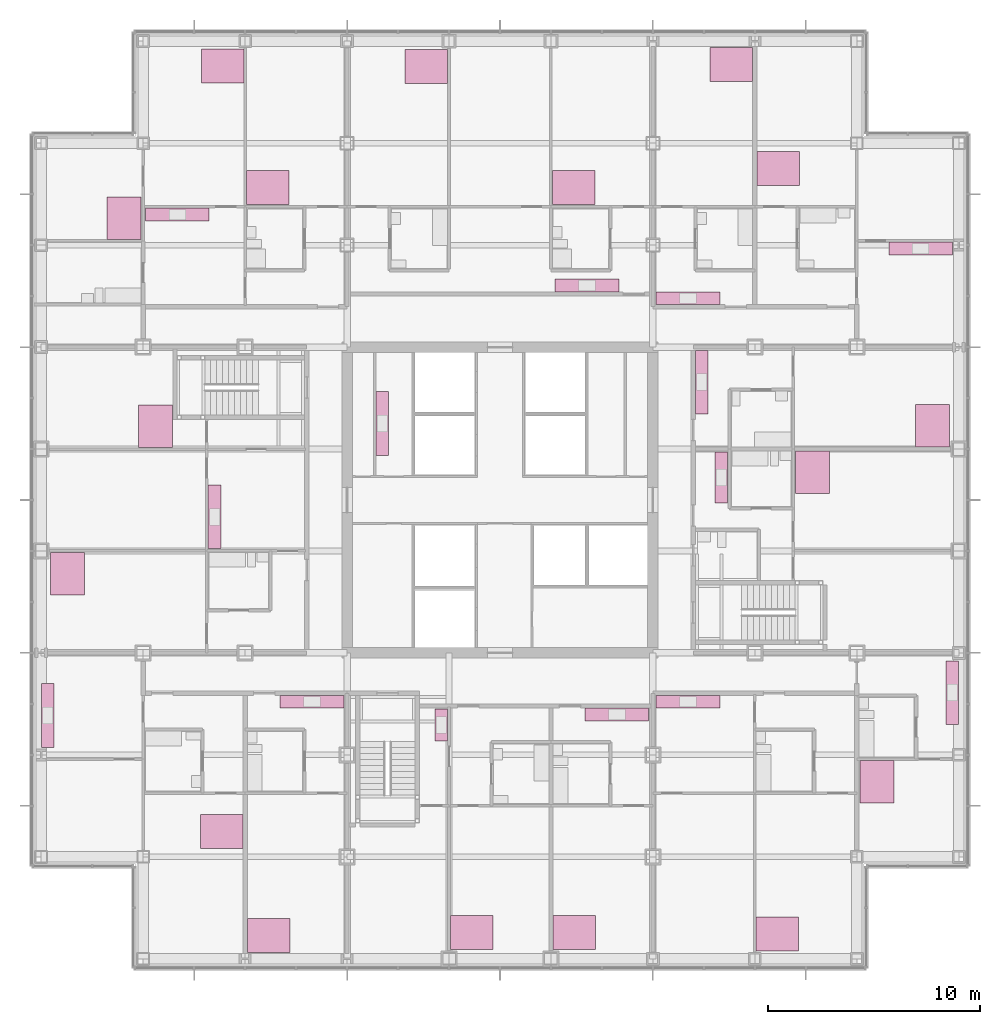
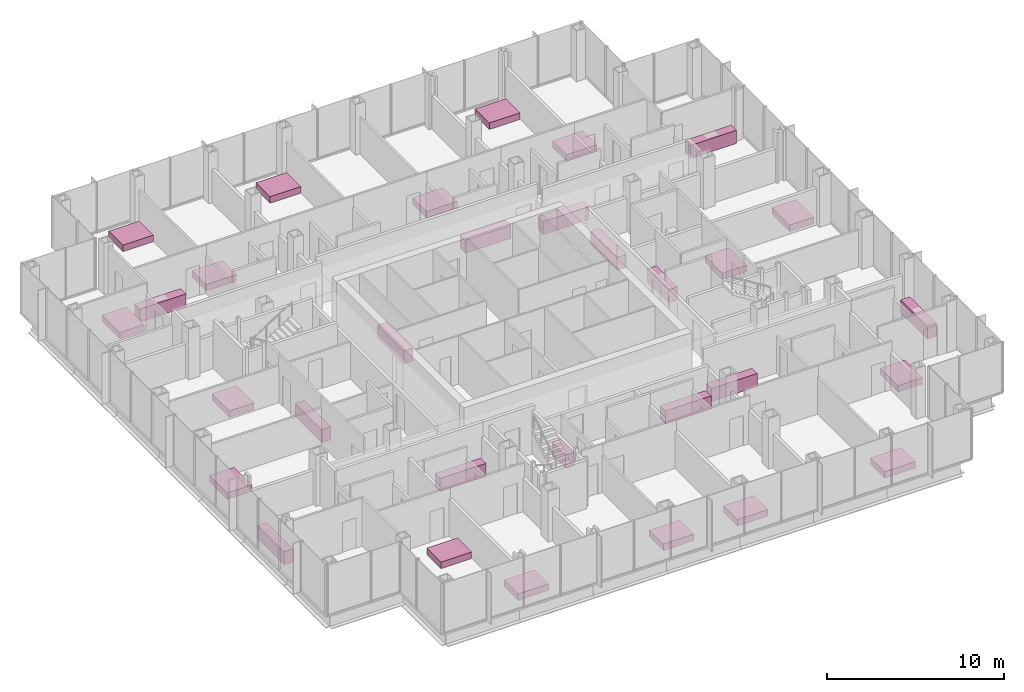
# One storey, part 21 of 21: 31 furniture elements.
"""IFC4 building model written with IfcOpenShell, lengths in metres."""

from ifc_helpers import new_model, si_unit, direction, frame, origin, origin_2d, place, context, subcontext, project, spatial, rectangle, extrude, material, type_object, element, save


model = new_model("IFC4")

# Units and contexts
model_context = context("Model", 3, precision=1e-05, world=origin(), true_north=direction((0.0, 1.0)))
body_context = subcontext(model_context, "Body", "Model", "MODEL_VIEW")
ifc_project = project(units=[si_unit("LENGTHUNIT", "METRE"), si_unit("AREAUNIT", "SQUARE_METRE"), si_unit("VOLUMEUNIT", "CUBIC_METRE"), si_unit("PLANEANGLEUNIT", "RADIAN"), si_unit("MASSUNIT", "GRAM", prefix="KILO")], contexts=[model_context])

# Site, building, storey
site_placement = place(None, origin())
site = spatial("IfcSite", under=ifc_project, at=site_placement, CompositionType="ELEMENT")
building_placement = place(site_placement, origin())
building = spatial("IfcBuilding", under=site, at=building_placement, Name="Kvirike Care Tower", CompositionType="ELEMENT")
storey_placement = place(building_placement, frame((0.0, 0.0, 37.5)))
storey = spatial("IfcBuildingStorey", under=building, at=storey_placement, Name="L09", CompositionType="ELEMENT", Elevation=37.5)

# Furniture
ifc_material_1 = material(Name="Timber", Category="wood")
furniture_type_1 = type_object("IfcFurnitureType", Name="DOUBLE BED 1600 x 2000", AssemblyPlace="FACTORY", PredefinedType="BED", material=ifc_material_1)
for number, where, z_axis, x_axis, name in (
    (1, (8.498046875, 20.389892578125, 0.0), (0.0, 0.0, 1.0), (0.0, -1.0, 0.0), "Double bed L09-003"),
    (2, (10.701904296875, 15.4970703125, 0.0), (0.0, 0.0, 1.0), (0.0, 1.0, 0.0), "Double bed L09-007"),
    (3, (5.389892578125, 39.4619140625, 0.0), (0.0, 0.0, 1.0), (-1.0, 0.0, 0.0), "Double bed L09-012"),
    (4, (1.2451171875, 32.5380859375, 0.0), (0.0, 0.0, 1.0), (1.0, 0.0, 0.0), "Double bed L09-014"),
    (5, (10.662109375, 50.7099609375, 0.0), (0.0, 0.0, 1.0), (0.0, 1.0, 0.0), "Double bed L09-020"),
    (6, (8.5380859375, 56.429931640625, 0.0), (0.0, 0.0, 1.0), (0.0, -1.0, 0.0), "Double bed L09-021"),
    (7, (3.889892578125, 49.261962890625, 0.0), (0.0, 0.0, 1.0), (-1.0, 0.0, 0.0), "Double bed L09-022"),
    (8, (20.261962890625, 15.64501953125, 0.0), (0.0, 0.0, 1.0), (0.0, 1.0, 0.0), "Double bed L09-030"),
    (9, (25.10205078125, 15.64501953125, 0.0), (0.0, 0.0, 1.0), (0.0, 1.0, 0.0), "Double bed L09-034"),
    (10, (25.06201171875, 50.7099609375, 0.0), (0.0, 0.0, 1.0), (0.0, 1.0, 0.0), "Double bed L09-038"),
    (11, (18.137939453125, 56.405029296875, 0.0), (0.0, 0.0, 1.0), (0.0, -1.0, 0.0), "Double bed L09-040"),
    (12, (34.662109375, 15.570068359375, 0.0), (0.0, 0.0, 1.0), (0.0, 1.0, 0.0), "Double bed L09-046"),
    (13, (39.35009765625, 22.738037109375, 0.0), (0.0, 0.0, 1.0), (1.0, 0.0, 0.0), "Double bed L09-050"),
    (14, (36.31005859375, 37.298095703125, 0.0), (0.0, 0.0, 1.0), (1.0, 0.0, 0.0), "Double bed L09-056"),
    (15, (41.955078125, 39.501953125, 0.0), (0.0, 0.0, 1.0), (-1.0, 0.0, 0.0), "Double bed L09-060"),
    (16, (34.701904296875, 51.610107421875, 0.0), (0.0, 0.0, 1.0), (0.0, 1.0, 0.0), "Double bed L09-065"),
    (17, (32.498046875, 56.5029296875, 0.0), (0.0, 0.0, 1.0), (0.0, -1.0, 0.0), "Double bed L09-069"),
):
    element("IfcFurniture", number, at=place(storey_placement, frame(where, z_axis=z_axis, x_axis=x_axis)), inside=storey, type_object=furniture_type_1, Name=name, PredefinedType="BED", context=body_context, shape_type="SweptSolid", body=[
        extrude(rectangle(XDim=1.60009765625, YDim=2.0, at=origin_2d()), origin(), (0.0, 0.0, 1.0), 0.449951171875),
    ])
ifc_material_2 = material(Name="Laminated board", Category="wood")
furniture_type_2 = type_object("IfcFurnitureType", Name="KITCHEN UNIT RUN 600", AssemblyPlace="FACTORY", PredefinedType="USERDEFINED", material=ifc_material_2)
for number, where, z_axis, x_axis, name in (
    (18, (0.302001953125, 25.8544921875, 0.0), (0.0, 0.0, 1.0), (0.0, 1.0, 0.0), "Kitchen unit run L09-005"),
    (19, (12.75, 26.498046875, 0.0), (0.0, 0.0, 1.0), (1.0, 0.0, 0.0), "Kitchen unit run L09-009"),
    (20, (8.162109375, 35.2099609375, 0.0), (0.0, 0.0, 1.0), (0.0, 1.0, 0.0), "Kitchen unit run L09-017"),
    (21, (6.409912109375, 49.43798828125, 0.0), (0.0, 0.0, 1.0), (1.0, 0.0, 0.0), "Kitchen unit run L09-026"),
):
    element("IfcFurniture", number, at=place(storey_placement, frame(where, z_axis=z_axis, x_axis=x_axis)), inside=storey, type_object=furniture_type_2, Name=name, ObjectType="KITCHEN UNIT", PredefinedType="USERDEFINED", context=body_context, shape_type="SweptSolid", body=[
        extrude(rectangle(XDim=3.0, YDim=0.60009765625, at=origin_2d()), origin(), (0.0, 0.0, 1.0), 0.89990234375),
    ])
furniture_1_placement = place(storey_placement, frame((18.837890625, 25.39990234375, 0.0), z_axis=(0.0, 0.0, 1.0), x_axis=(0.0, -1.0, 0.0)))
element("IfcFurniture", 22, at=furniture_1_placement, inside=storey, type_object=furniture_type_2, Name="Kitchen unit run L09-032", ObjectType="KITCHEN UNIT", PredefinedType="USERDEFINED", context=body_context, shape_type="SweptSolid", body=[
    extrude(rectangle(XDim=1.5, YDim=0.60009765625, at=origin_2d()), origin(), (0.0, 0.0, 1.0), 0.89990234375),
])
for number, where, z_axis, x_axis, name in (
    (23, (27.10009765625, 25.89794921875, 0.0), (0.0, 0.0, 1.0), (1.0, 0.0, 0.0), "Kitchen unit run L09-036"),
    (24, (25.699951171875, 46.10205078125, 0.0), (0.0, 0.0, 1.0), (-1.0, 0.0, 0.0), "Kitchen unit run L09-043"),
    (25, (30.449951171875, 26.498046875, 0.0), (0.0, 0.0, 1.0), (1.0, 0.0, 0.0), "Kitchen unit run L09-048"),
    (26, (42.89794921875, 26.929931640625, 0.0), (0.0, 0.0, 1.0), (0.0, -1.0, 0.0), "Kitchen unit run L09-052"),
):
    element("IfcFurniture", number, at=place(storey_placement, frame(where, z_axis=z_axis, x_axis=x_axis)), inside=storey, type_object=furniture_type_2, Name=name, ObjectType="KITCHEN UNIT", PredefinedType="USERDEFINED", context=body_context, shape_type="SweptSolid", body=[
        extrude(rectangle(XDim=3.0, YDim=0.60009765625, at=origin_2d()), origin(), (0.0, 0.0, 1.0), 0.89990234375),
    ])
furniture_2_placement = place(storey_placement, frame((32.02294921875, 37.050048828125, 0.0), z_axis=(0.0, 0.0, 1.0), x_axis=(0.0, -1.0, 0.0)))
element("IfcFurniture", 27, at=furniture_2_placement, inside=storey, type_object=furniture_type_2, Name="Kitchen unit run L09-059", ObjectType="KITCHEN UNIT", PredefinedType="USERDEFINED", context=body_context, shape_type="SweptSolid", body=[
    extrude(rectangle(XDim=2.39990234375, YDim=0.60009765625, at=origin_2d()), origin(), (0.0, 0.0, 1.0), 0.89990234375),
])
for number, where, z_axis, x_axis, name in (
    (28, (31.10205078125, 41.550048828125, 0.0), (0.0, 0.0, 1.0), (0.0, 1.0, 0.0), "Kitchen unit run L09-062"),
    (29, (41.409912109375, 47.837890625, 0.0), (0.0, 0.0, 1.0), (1.0, 0.0, 0.0), "Kitchen unit run L09-067"),
    (30, (30.449951171875, 45.501953125, 0.0), (0.0, 0.0, 1.0), (-1.0, 0.0, 0.0), "Kitchen unit run L09-071"),
    (31, (16.052001953125, 39.60009765625, 0.0), (0.0, 0.0, 1.0), (0.0, 1.0, 0.0), "Kitchen unit run L09-078"),
):
    element("IfcFurniture", number, at=place(storey_placement, frame(where, z_axis=z_axis, x_axis=x_axis)), inside=storey, type_object=furniture_type_2, Name=name, ObjectType="KITCHEN UNIT", PredefinedType="USERDEFINED", context=body_context, shape_type="SweptSolid", body=[
        extrude(rectangle(XDim=3.0, YDim=0.60009765625, at=origin_2d()), origin(), (0.0, 0.0, 1.0), 0.89990234375),
    ])

save(model, "model.ifc")
